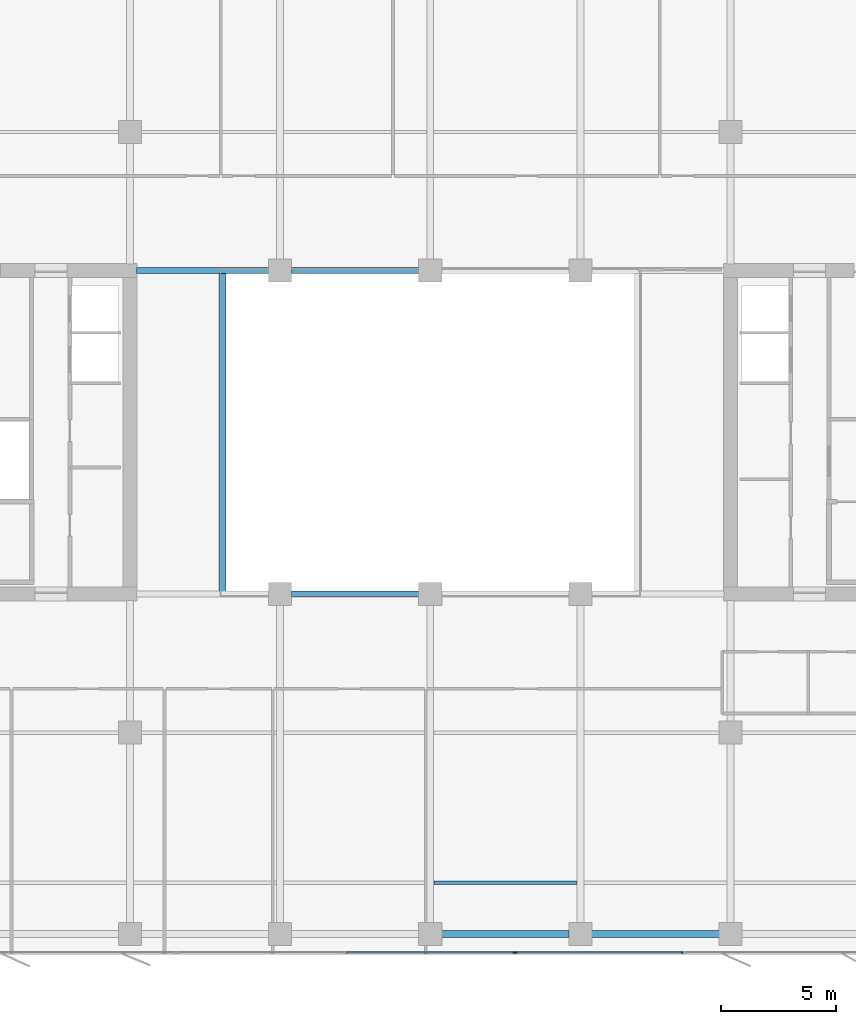
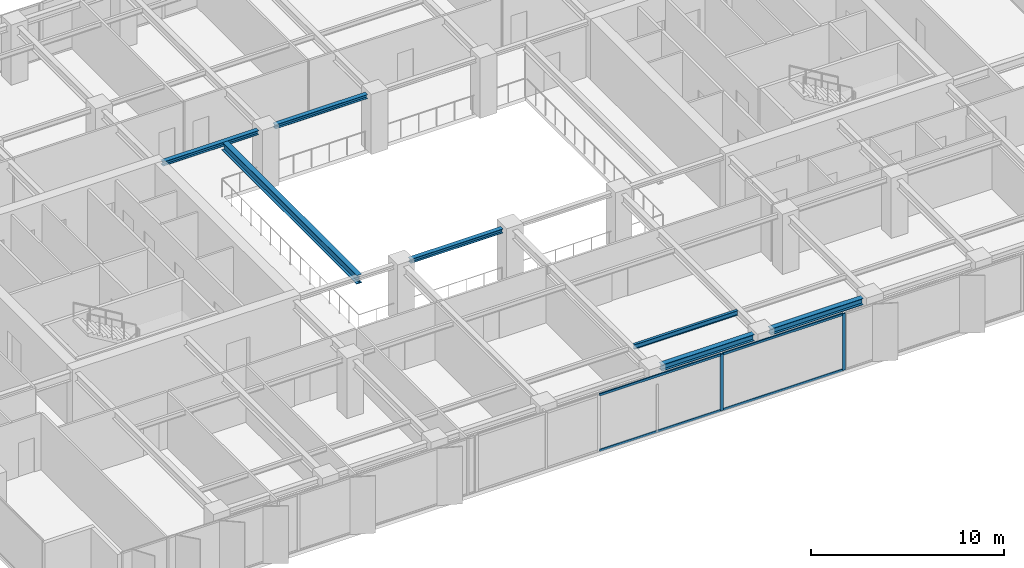
# One storey, part 5 of 22: 7 beams, 6 members, 1 element without a shape of its own.
"""IFC4 building model written with IfcOpenShell, lengths in metres."""

from ifc_helpers import new_model, si_unit, direction, frame, origin, origin_2d, place, context, subcontext, project, spatial, rectangle, i_section, extrude, material, layer, layer_set, material_profile, profile_set, type_object, element, aggregate, save


model = new_model("IFC4")

# Units and contexts
model_context = context("Model", 3, precision=1e-05, world=origin(), true_north=direction((0.0, 1.0)))
body_context = subcontext(model_context, "Body", "Model", "MODEL_VIEW")
ifc_project = project(units=[si_unit("LENGTHUNIT", "METRE"), si_unit("AREAUNIT", "SQUARE_METRE"), si_unit("VOLUMEUNIT", "CUBIC_METRE"), si_unit("PLANEANGLEUNIT", "RADIAN"), si_unit("MASSUNIT", "GRAM", prefix="KILO")], contexts=[model_context])

# Site, building, storey
site_placement = place(None, origin())
site = spatial("IfcSite", under=ifc_project, at=site_placement, CompositionType="ELEMENT")
building_placement = place(site_placement, origin())
building = spatial("IfcBuilding", under=site, at=building_placement, Name="Putna Gate Headquarters", CompositionType="ELEMENT")
storey_placement = place(building_placement, frame((0.0, 0.0, 174.60009765625)))
storey = spatial("IfcBuildingStorey", under=building, at=storey_placement, Name="L43", CompositionType="ELEMENT", Elevation=174.60009765625)

# Beams
ifc_material_1 = material(Name="Steel S355J2", Category="steel")
ifc_material_profile_1 = material_profile(ifc_material_1, i_section(OverallWidth=0.260009765625, OverallDepth=0.260009765625, WebThickness=0.010009765625, FlangeThickness=0.017578125, at=origin_2d()), Name="Steel S355J2")
ifc_profile_set_1 = profile_set([ifc_material_profile_1], Name="Steel S355J2")
beam_type_1 = type_object("IfcBeamType", Name="BM-ATRIUM-HEB260", PredefinedType="BEAM", material=ifc_profile_set_1)
beam_1_placement = place(storey_placement, frame((32.988037109375, 19.0, 3.44189453125), z_axis=(1.0, 0.0, 0.0), x_axis=(0.0, 1.0, 0.0)))
element("IfcBeam", 1, at=beam_1_placement, inside=storey, type_object=beam_type_1, Name="L43 Atrium Edge Beam AS2", PredefinedType="BEAM", context=body_context, shape_type="SweptSolid", body=[
    extrude(i_section(OverallWidth=0.260009765625, OverallDepth=0.260009765625, WebThickness=0.010009765625, FlangeThickness=0.017578125, at=origin_2d()), origin(), (0.0, 0.0, 1.0), 5.52392578125),
])
beam_2_placement = place(storey_placement, frame((26.284912109375, 33.0, 3.44189453125), z_axis=(1.0, 0.0, 0.0), x_axis=(0.0, 1.0, 0.0)))
element("IfcBeam", 2, at=beam_2_placement, inside=storey, type_object=beam_type_1, Name="L43 Atrium Edge Beam AN1", PredefinedType="BEAM", context=body_context, shape_type="SweptSolid", body=[
    extrude(i_section(OverallWidth=0.260009765625, OverallDepth=0.260009765625, WebThickness=0.010009765625, FlangeThickness=0.017578125, at=origin_2d()), origin(), (0.0, 0.0, 1.0), 5.72705078125),
])
beam_3_placement = place(storey_placement, frame((32.988037109375, 33.0, 3.44189453125), z_axis=(1.0, 0.0, 0.0), x_axis=(0.0, 1.0, 0.0)))
element("IfcBeam", 3, at=beam_3_placement, inside=storey, type_object=beam_type_1, Name="L43 Atrium Edge Beam AN2", PredefinedType="BEAM", context=body_context, shape_type="SweptSolid", body=[
    extrude(i_section(OverallWidth=0.260009765625, OverallDepth=0.260009765625, WebThickness=0.010009765625, FlangeThickness=0.017578125, at=origin_2d()), origin(), (0.0, 0.0, 1.0), 5.52392578125),
])
ifc_material_profile_2 = material_profile(ifc_material_1, i_section(OverallWidth=0.300048828125, OverallDepth=0.550048828125, WebThickness=0.014892578125, FlangeThickness=0.029052734375, at=origin_2d()), Name="Steel S355J2")
ifc_profile_set_2 = profile_set([ifc_material_profile_2], Name="Steel S355J2")
beam_type_2 = type_object("IfcBeamType", Name="BM-GIRD-Z3-HEB550", PredefinedType="USERDEFINED", material=ifc_profile_set_2)
beam_4_placement = place(storey_placement, frame((30.0, 19.010009765625, 3.296875), z_axis=(0.0, 1.0, 0.0), x_axis=(-1.0, 0.0, 0.0)))
element("IfcBeam", 4, at=beam_4_placement, inside=storey, type_object=beam_type_2, Name="L43 Atrium Trim Girder AW", ObjectType="GIRDER", PredefinedType="USERDEFINED", context=body_context, shape_type="SweptSolid", body=[
    extrude(i_section(OverallWidth=0.300048828125, OverallDepth=0.550048828125, WebThickness=0.014892578125, FlangeThickness=0.029052734375, at=origin_2d()), origin(), (0.0, 0.0, 1.0), 13.97998046875),
])
ifc_material_profile_3 = material_profile(ifc_material_1, i_section(OverallWidth=0.14990234375, OverallDepth=0.300048828125, WebThickness=0.007080078125, FlangeThickness=0.0107421875, at=origin_2d()), Name="Steel S355J2")
ifc_profile_set_3 = profile_set([ifc_material_profile_3], Name="Steel S355J2")
beam_type_3 = type_object("IfcBeamType", Name="BM-SEC-Z3-IPE300", PredefinedType="JOIST", material=ifc_profile_set_3)
beam_5_placement = place(storey_placement, frame((39.154052734375, 6.5, 3.421875), z_axis=(1.0, 0.0, 0.0), x_axis=(0.0, 1.0, 0.0)))
element("IfcBeam", 5, at=beam_5_placement, inside=storey, type_object=beam_type_3, Name="L43 South Secondary Beam 5", PredefinedType="JOIST", context=body_context, shape_type="SweptSolid", body=[
    extrude(i_section(OverallWidth=0.14990234375, OverallDepth=0.300048828125, WebThickness=0.007080078125, FlangeThickness=0.0107421875, at=origin_2d()), origin(), (0.0, 0.0, 1.0), 6.19189453125),
])
ifc_material_profile_4 = material_profile(ifc_material_1, i_section(OverallWidth=0.300048828125, OverallDepth=0.39990234375, WebThickness=0.013427734375, FlangeThickness=0.02392578125, at=origin_2d()), Name="Steel S355J2")
ifc_profile_set_4 = profile_set([ifc_material_profile_4], Name="Steel S355J2")
beam_type_4 = type_object("IfcBeamType", Name="BM-SPAN-Z3-HEB400", PredefinedType="SPANDREL", material=ifc_profile_set_4)
for number, where, z_axis, x_axis, name in (
    (6, (39.488037109375, 4.280029296875, 3.371826171875), (1.0, 0.0, 0.0), (0.0, 1.0, 0.0), "L43 S Perimeter Spandrel 5"),
    (7, (45.988037109375, 4.280029296875, 3.371826171875), (1.0, 0.0, 0.0), (0.0, 1.0, 0.0), "L43 S Perimeter Spandrel 6"),
):
    element("IfcBeam", number, at=place(storey_placement, frame(where, z_axis=z_axis, x_axis=x_axis)), inside=storey, type_object=beam_type_4, Name=name, PredefinedType="SPANDREL", context=body_context, shape_type="SweptSolid", body=[
        extrude(i_section(OverallWidth=0.300048828125, OverallDepth=0.39990234375, WebThickness=0.013427734375, FlangeThickness=0.02392578125, at=origin_2d()), origin(), (0.0, 0.0, 1.0), 5.52392578125),
    ])

# Curtain wall, members
ifc_material_2 = material(Name="Anodised bronze aluminium curtain wall", Category="aluminium")
ifc_layer = layer(ifc_material_2, 0.179931640625)
ifc_layer_set = layer_set([ifc_layer], Name="Anodised bronze aluminium curtain wall")
curtain_wall_type = type_object("IfcCurtainWallType", Name="CW-SYS-ATR", PredefinedType="USERDEFINED", material=ifc_layer_set)
curtain_wall_placement = place(storey_placement, origin())
curtain_wall = element("IfcCurtainWall", 8, at=curtain_wall_placement, inside=storey, type_object=curtain_wall_type, Name="L43 South Atrium Clear Glazing", ObjectType="ATRIUM GLAZING", PredefinedType="USERDEFINED")
ifc_material_3 = material(Name="Anodised bronze aluminium EN AW-6060", Category="aluminium")
ifc_material_profile_5 = material_profile(ifc_material_3, rectangle(XDim=0.070068359375, YDim=0.179931640625, at=origin_2d()), Name="Anodised bronze aluminium EN AW-6060")
ifc_profile_set_5 = profile_set([ifc_material_profile_5], Name="Anodised bronze aluminium EN AW-6060")
member_type_1 = type_object("IfcMemberType", Name="MULL-CWM-AT", PredefinedType="MULLION", material=ifc_profile_set_5)
member_1_placement = place(storey_placement, frame((42.666748046875, 3.47998046875, 0.0), z_axis=(0.0, 0.0, 1.0), x_axis=(0.0, 1.0, 0.0)))
member_1 = element("IfcMember", 9, at=member_1_placement, type_object=member_type_1, Name="CWS-AT mullion 3", PredefinedType="MULLION", context=body_context, shape_type="SweptSolid", body=[
    extrude(rectangle(XDim=0.070068359375, YDim=0.179931640625, at=origin_2d()), origin(), (0.0, 0.0, 1.0), 3.572021484375),
])
member_2_placement = place(storey_placement, frame((49.965087890625, 3.47998046875, 0.0), z_axis=(0.0, 0.0, 1.0), x_axis=(0.0, 1.0, 0.0)))
member_2 = element("IfcMember", 10, at=member_2_placement, type_object=member_type_1, Name="CWS-AT mullion 4", PredefinedType="MULLION", context=body_context, shape_type="SweptSolid", body=[
    extrude(rectangle(XDim=0.070068359375, YDim=0.179931640625, at=origin_2d()), origin(), (0.0, 0.0, 1.0), 3.572021484375),
])
ifc_material_profile_6 = material_profile(ifc_material_3, rectangle(XDim=0.070068359375, YDim=0.139892578125, at=origin_2d()), Name="Anodised bronze aluminium EN AW-6060")
ifc_profile_set_6 = profile_set([ifc_material_profile_6], Name="Anodised bronze aluminium EN AW-6060")
member_type_2 = type_object("IfcMemberType", Name="TRAN-CWT-AT", PredefinedType="USERDEFINED", material=ifc_profile_set_6)
member_3_placement = place(storey_placement, frame((35.368408203125, 3.47998046875, 0.034912109375), z_axis=(1.0, 0.0, 0.0), x_axis=(0.0, 1.0, 0.0)))
member_3 = element("IfcMember", 11, at=member_3_placement, type_object=member_type_2, Name="CWS-AT transom 2.1", ObjectType="TRANSOM", PredefinedType="USERDEFINED", context=body_context, shape_type="SweptSolid", body=[
    extrude(rectangle(XDim=0.070068359375, YDim=0.139892578125, at=origin_2d()), origin(), (0.0, 0.0, 1.0), 7.26318359375),
])
member_4_placement = place(storey_placement, frame((35.368408203125, 3.47998046875, 3.536865234375), z_axis=(1.0, 0.0, 0.0), x_axis=(0.0, 1.0, 0.0)))
member_4 = element("IfcMember", 12, at=member_4_placement, type_object=member_type_2, Name="CWS-AT transom 2.2", ObjectType="TRANSOM", PredefinedType="USERDEFINED", context=body_context, shape_type="SweptSolid", body=[
    extrude(rectangle(XDim=0.070068359375, YDim=0.139892578125, at=origin_2d()), origin(), (0.0, 0.0, 1.0), 7.26318359375),
])
member_5_placement = place(storey_placement, frame((42.70166015625, 3.47998046875, 0.034912109375), z_axis=(1.0, 0.0, 0.0), x_axis=(0.0, 1.0, 0.0)))
member_5 = element("IfcMember", 13, at=member_5_placement, type_object=member_type_2, Name="CWS-AT transom 3.1", ObjectType="TRANSOM", PredefinedType="USERDEFINED", context=body_context, shape_type="SweptSolid", body=[
    extrude(rectangle(XDim=0.070068359375, YDim=0.139892578125, at=origin_2d()), origin(), (0.0, 0.0, 1.0), 7.228271484375),
])
member_6_placement = place(storey_placement, frame((42.70166015625, 3.47998046875, 3.536865234375), z_axis=(1.0, 0.0, 0.0), x_axis=(0.0, 1.0, 0.0)))
member_6 = element("IfcMember", 14, at=member_6_placement, type_object=member_type_2, Name="CWS-AT transom 3.2", ObjectType="TRANSOM", PredefinedType="USERDEFINED", context=body_context, shape_type="SweptSolid", body=[
    extrude(rectangle(XDim=0.070068359375, YDim=0.139892578125, at=origin_2d()), origin(), (0.0, 0.0, 1.0), 7.228271484375),
])
aggregate(curtain_wall, [member_1, member_2, member_3, member_4, member_5, member_6])

save(model, "model.ifc")
